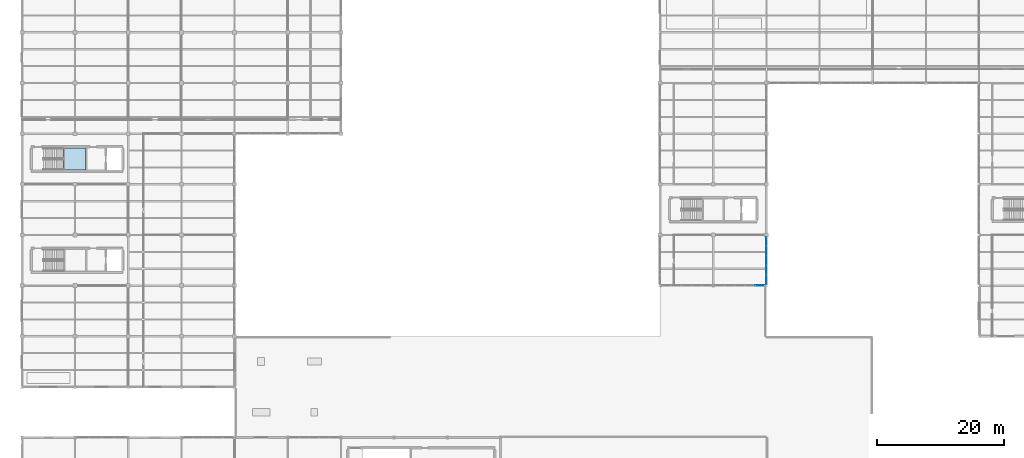
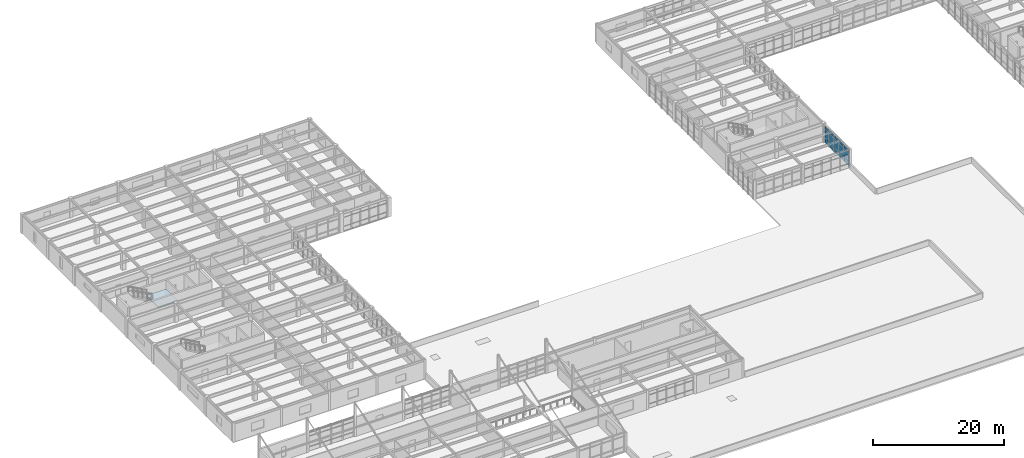
# One storey, part 39 of 96: 16 plates, 1 slab, 3 elements without a shape of their own.
"""IFC4 building model written with IfcOpenShell, lengths in metres."""

from ifc_helpers import new_model, si_unit, direction, frame, origin, origin_2d, place, context, subcontext, project, spatial, polyline, rectangle, outline, extrude, material, layer, layer_set, type_object, element, aggregate, save


model = new_model("IFC4")

# Units and contexts
model_context = context("Model", 3, precision=1e-05, world=origin(), true_north=direction((0.0, 1.0)))
body_context = subcontext(model_context, "Body", "Model", "MODEL_VIEW")
ifc_project = project(units=[si_unit("LENGTHUNIT", "METRE"), si_unit("AREAUNIT", "SQUARE_METRE"), si_unit("VOLUMEUNIT", "CUBIC_METRE"), si_unit("PLANEANGLEUNIT", "RADIAN"), si_unit("MASSUNIT", "GRAM", prefix="KILO")], contexts=[model_context])

# Site, building, storey
site_placement = place(None, origin())
site = spatial("IfcSite", under=ifc_project, at=site_placement, CompositionType="ELEMENT")
building_placement = place(site_placement, origin())
building = spatial("IfcBuilding", under=site, at=building_placement, Name="Kranzveld Transit Interchange", CompositionType="ELEMENT")
storey_placement = place(building_placement, frame((0.0, 0.0, 9.52001953125)))
storey = spatial("IfcBuildingStorey", under=building, at=storey_placement, Name="L02", CompositionType="ELEMENT", Elevation=9.52001953125)

# Curtain wall, plates
ifc_material_1 = material(Name="Bronze-anodised thermally broken aluminium", Category="aluminium")
ifc_layer_1 = layer(ifc_material_1, 0.1650390625)
ifc_layer_set_1 = layer_set([ifc_layer_1], Name="Bronze-anodised thermally broken aluminium")
curtain_wall_type_1 = type_object("IfcCurtainWallType", Name="Sunny Court Arcade Curtain Wall CW-2", PredefinedType="USERDEFINED", material=ifc_layer_set_1)
curtain_wall_1_placement = place(storey_placement, origin())
curtain_wall_1 = element("IfcCurtainWall", 1, at=curtain_wall_1_placement, inside=storey, type_object=curtain_wall_type_1, Name="L02 Curtain Wall 15/J-15/K", ObjectType="CURTAIN WALL", PredefinedType="USERDEFINED")
ifc_material_2 = material(Name="Solar-control double glazing", Category="glass")
ifc_layer_2 = layer(ifc_material_2, 0.02392578125)
ifc_layer_set_2 = layer_set([ifc_layer_2], Name="Solar-control double glazing")
plate_type_1 = type_object("IfcPlateType", Name="Curtain Panel Clear Glazing 24", PredefinedType="CURTAIN_PANEL", material=ifc_layer_set_2)
plate_1_placement = place(storey_placement, frame((117.60009765625, 64.954833984375, 0.06005859375), z_axis=(0.0, 0.0, 1.0), x_axis=(0.0, 1.0, 0.0)))
plate_1 = element("IfcPlate", 2, at=plate_1_placement, type_object=plate_type_1, Name="CW-2 panel 1.1", PredefinedType="CURTAIN_PANEL", context=body_context, shape_type="SweptSolid", body=[
    extrude(rectangle(XDim=1.405029296875, YDim=0.02392578125, at=origin_2d()), origin(), (0.0, 0.0, 1.0), 0.81005859375),
])
plate_2_placement = place(storey_placement, frame((117.60009765625, 64.954833984375, 0.929931640625), z_axis=(0.0, 0.0, 1.0), x_axis=(0.0, 1.0, 0.0)))
plate_2 = element("IfcPlate", 3, at=plate_2_placement, type_object=plate_type_1, Name="CW-2 panel 1.2", PredefinedType="CURTAIN_PANEL", context=body_context, shape_type="SweptSolid", body=[
    extrude(rectangle(XDim=1.405029296875, YDim=0.02392578125, at=origin_2d()), origin(), (0.0, 0.0, 1.0), 1.55859375),
])
plate_3_placement = place(storey_placement, frame((117.60009765625, 64.954833984375, 2.54833984375), z_axis=(0.0, 0.0, 1.0), x_axis=(0.0, 1.0, 0.0)))
plate_3 = element("IfcPlate", 4, at=plate_3_placement, type_object=plate_type_1, Name="CW-2 panel 1.3", PredefinedType="CURTAIN_PANEL", context=body_context, shape_type="SweptSolid", body=[
    extrude(rectangle(XDim=1.405029296875, YDim=0.02392578125, at=origin_2d()), origin(), (0.0, 0.0, 1.0), 0.610107421875),
])
plate_4_placement = place(storey_placement, frame((117.60009765625, 66.441162109375, 0.06005859375), z_axis=(0.0, 0.0, 1.0), x_axis=(0.0, 1.0, 0.0)))
plate_4 = element("IfcPlate", 5, at=plate_4_placement, type_object=plate_type_1, Name="CW-2 panel 2.1", PredefinedType="CURTAIN_PANEL", context=body_context, shape_type="SweptSolid", body=[
    extrude(rectangle(XDim=1.4375, YDim=0.02392578125, at=origin_2d()), origin(), (0.0, 0.0, 1.0), 0.81005859375),
])
plate_5_placement = place(storey_placement, frame((117.60009765625, 66.441162109375, 0.929931640625), z_axis=(0.0, 0.0, 1.0), x_axis=(0.0, 1.0, 0.0)))
plate_5 = element("IfcPlate", 6, at=plate_5_placement, type_object=plate_type_1, Name="CW-2 panel 2.2", PredefinedType="CURTAIN_PANEL", context=body_context, shape_type="SweptSolid", body=[
    extrude(rectangle(XDim=1.4375, YDim=0.02392578125, at=origin_2d()), origin(), (0.0, 0.0, 1.0), 1.55859375),
])
plate_6_placement = place(storey_placement, frame((117.60009765625, 66.441162109375, 2.54833984375), z_axis=(0.0, 0.0, 1.0), x_axis=(0.0, 1.0, 0.0)))
plate_6 = element("IfcPlate", 7, at=plate_6_placement, type_object=plate_type_1, Name="CW-2 panel 2.3", PredefinedType="CURTAIN_PANEL", context=body_context, shape_type="SweptSolid", body=[
    extrude(rectangle(XDim=1.4375, YDim=0.02392578125, at=origin_2d()), origin(), (0.0, 0.0, 1.0), 0.610107421875),
])
plate_7_placement = place(storey_placement, frame((117.60009765625, 67.943603515625, 0.06005859375), z_axis=(0.0, 0.0, 1.0), x_axis=(0.0, 1.0, 0.0)))
plate_7 = element("IfcPlate", 8, at=plate_7_placement, type_object=plate_type_1, Name="CW-2 panel 3.1", PredefinedType="CURTAIN_PANEL", context=body_context, shape_type="SweptSolid", body=[
    extrude(rectangle(XDim=1.4375, YDim=0.02392578125, at=origin_2d()), origin(), (0.0, 0.0, 1.0), 0.81005859375),
])
plate_8_placement = place(storey_placement, frame((117.60009765625, 67.943603515625, 0.929931640625), z_axis=(0.0, 0.0, 1.0), x_axis=(0.0, 1.0, 0.0)))
plate_8 = element("IfcPlate", 9, at=plate_8_placement, type_object=plate_type_1, Name="CW-2 panel 3.2", PredefinedType="CURTAIN_PANEL", context=body_context, shape_type="SweptSolid", body=[
    extrude(rectangle(XDim=1.4375, YDim=0.02392578125, at=origin_2d()), origin(), (0.0, 0.0, 1.0), 1.55859375),
])
plate_9_placement = place(storey_placement, frame((117.60009765625, 67.943603515625, 2.54833984375), z_axis=(0.0, 0.0, 1.0), x_axis=(0.0, 1.0, 0.0)))
plate_9 = element("IfcPlate", 10, at=plate_9_placement, type_object=plate_type_1, Name="CW-2 panel 3.3", PredefinedType="CURTAIN_PANEL", context=body_context, shape_type="SweptSolid", body=[
    extrude(rectangle(XDim=1.4375, YDim=0.02392578125, at=origin_2d()), origin(), (0.0, 0.0, 1.0), 0.610107421875),
])
plate_10_placement = place(storey_placement, frame((117.60009765625, 69.4462890625, 0.06005859375), z_axis=(0.0, 0.0, 1.0), x_axis=(0.0, 1.0, 0.0)))
plate_10 = element("IfcPlate", 11, at=plate_10_placement, type_object=plate_type_1, Name="CW-2 panel 4.1", PredefinedType="CURTAIN_PANEL", context=body_context, shape_type="SweptSolid", body=[
    extrude(rectangle(XDim=1.4375, YDim=0.02392578125, at=origin_2d()), origin(), (0.0, 0.0, 1.0), 0.81005859375),
])
plate_11_placement = place(storey_placement, frame((117.60009765625, 69.4462890625, 0.929931640625), z_axis=(0.0, 0.0, 1.0), x_axis=(0.0, 1.0, 0.0)))
plate_11 = element("IfcPlate", 12, at=plate_11_placement, type_object=plate_type_1, Name="CW-2 panel 4.2", PredefinedType="CURTAIN_PANEL", context=body_context, shape_type="SweptSolid", body=[
    extrude(rectangle(XDim=1.4375, YDim=0.02392578125, at=origin_2d()), origin(), (0.0, 0.0, 1.0), 1.55859375),
])
plate_12_placement = place(storey_placement, frame((117.60009765625, 69.4462890625, 2.54833984375), z_axis=(0.0, 0.0, 1.0), x_axis=(0.0, 1.0, 0.0)))
plate_12 = element("IfcPlate", 13, at=plate_12_placement, type_object=plate_type_1, Name="CW-2 panel 4.3", PredefinedType="CURTAIN_PANEL", context=body_context, shape_type="SweptSolid", body=[
    extrude(rectangle(XDim=1.4375, YDim=0.02392578125, at=origin_2d()), origin(), (0.0, 0.0, 1.0), 0.610107421875),
])
plate_13_placement = place(storey_placement, frame((117.60009765625, 70.932373046875, 0.06005859375), z_axis=(0.0, 0.0, 1.0), x_axis=(0.0, 1.0, 0.0)))
plate_13 = element("IfcPlate", 14, at=plate_13_placement, type_object=plate_type_1, Name="CW-2 panel 5.1", PredefinedType="CURTAIN_PANEL", context=body_context, shape_type="SweptSolid", body=[
    extrude(rectangle(XDim=1.405029296875, YDim=0.02392578125, at=origin_2d()), origin(), (0.0, 0.0, 1.0), 0.81005859375),
])
plate_14_placement = place(storey_placement, frame((117.60009765625, 70.932373046875, 0.929931640625), z_axis=(0.0, 0.0, 1.0), x_axis=(0.0, 1.0, 0.0)))
plate_14 = element("IfcPlate", 15, at=plate_14_placement, type_object=plate_type_1, Name="CW-2 panel 5.2", PredefinedType="CURTAIN_PANEL", context=body_context, shape_type="SweptSolid", body=[
    extrude(rectangle(XDim=1.405029296875, YDim=0.02392578125, at=origin_2d()), origin(), (0.0, 0.0, 1.0), 1.55859375),
])
plate_15_placement = place(storey_placement, frame((117.60009765625, 70.932373046875, 2.54833984375), z_axis=(0.0, 0.0, 1.0), x_axis=(0.0, 1.0, 0.0)))
plate_15 = element("IfcPlate", 16, at=plate_15_placement, type_object=plate_type_1, Name="CW-2 panel 5.3", PredefinedType="CURTAIN_PANEL", context=body_context, shape_type="SweptSolid", body=[
    extrude(rectangle(XDim=1.405029296875, YDim=0.02392578125, at=origin_2d()), origin(), (0.0, 0.0, 1.0), 0.610107421875),
])
aggregate(curtain_wall_1, [plate_1, plate_2, plate_3, plate_4, plate_5, plate_6, plate_7, plate_8, plate_9, plate_10, plate_11, plate_12, plate_13, plate_14, plate_15])

# Curtain wall, plate
ifc_material_3 = material(Name="Bronze-anodised thermally broken aluminium", Category="aluminium")
ifc_layer_3 = layer(ifc_material_3, 0.155029296875)
ifc_layer_set_3 = layer_set([ifc_layer_3], Name="Bronze-anodised thermally broken aluminium")
curtain_wall_type_2 = type_object("IfcCurtainWallType", Name="Operations Courtyard Glazed Screen CW-6", PredefinedType="USERDEFINED", material=ifc_layer_set_3)
curtain_wall_2_placement = place(storey_placement, origin())
curtain_wall_2 = element("IfcCurtainWall", 17, at=curtain_wall_2_placement, inside=storey, type_object=curtain_wall_type_2, Name="L02 Curtain Wall 14/J-15/J", ObjectType="CURTAIN WALL", PredefinedType="USERDEFINED")
ifc_material_4 = material(Name="Ochre Pretoria sandstone cladding, 45 MPa", Category="masonry")
ifc_layer_4 = layer(ifc_material_4, 0.0458984375)
ifc_layer_set_4 = layer_set([ifc_layer_4], Name="Ochre Pretoria sandstone cladding, 45 MPa")
plate_type_2 = type_object("IfcPlateType", Name="Curtain Spandrel Sandstone 46", PredefinedType="CURTAIN_PANEL", material=ifc_layer_set_4)
plate_16_placement = place(storey_placement, frame((116.593994140625, 64.0, 2.60009765625), z_axis=(0.0, 0.0, 1.0), x_axis=(1.0, 0.0, 0.0)))
plate_16 = element("IfcPlate", 18, at=plate_16_placement, type_object=plate_type_2, Name="CW-6 panel 5.3", PredefinedType="CURTAIN_PANEL", context=body_context, shape_type="SweptSolid", body=[
    extrude(rectangle(XDim=1.507568359375, YDim=0.0458984375, at=origin_2d()), origin(), (0.0, 0.0, 1.0), 0.610107421875),
])
aggregate(curtain_wall_2, [plate_16])

# Stair, slab
ifc_material_5 = material(Name="Concrete C35/45", Category="concrete")
stair_type = type_object("IfcStairType", Name="Dogleg Stair 1650W H3840 C35/45", PredefinedType="HALF_TURN_STAIR", material=ifc_material_5)
stair_placement = place(storey_placement, origin())
stair = element("IfcStair", 19, at=stair_placement, inside=storey, type_object=stair_type, Name="L02 Operations Core C2", PredefinedType="HALF_TURN_STAIR")
ifc_material_6 = material(Name="Concrete C35/45", Category="concrete")
ifc_layer_5 = layer(ifc_material_6, 0.199951171875)
ifc_layer_set_5 = layer_set([ifc_layer_5], Name="Concrete C35/45")
slab_type = type_object("IfcSlabType", Name="Stair & Ramp Landing 200 C35/45", PredefinedType="LANDING", material=ifc_layer_set_5)
slab_placement = place(storey_placement, frame((0.0, 0.0, 1.719970703125)))
slab = element("IfcSlab", 20, at=slab_placement, type_object=slab_type, Name="ST-C2 landing 1", PredefinedType="LANDING", context=body_context, shape_type="SweptSolid", body=[
    extrude(outline(polyline([(6.590087890625, 82.235107421875), (10.050048828125, 82.235107421875), (10.050048828125, 85.764892578125), (6.590087890625, 85.764892578125), (6.590087890625, 82.235107421875)])), origin(), (0.0, 0.0, 1.0), 0.199951171875),
])
aggregate(stair, [slab])

save(model, "model.ifc")
